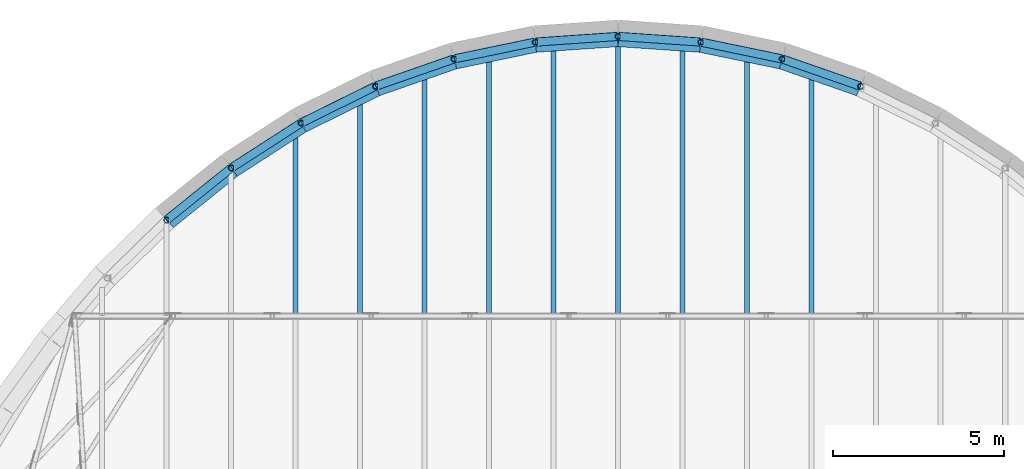
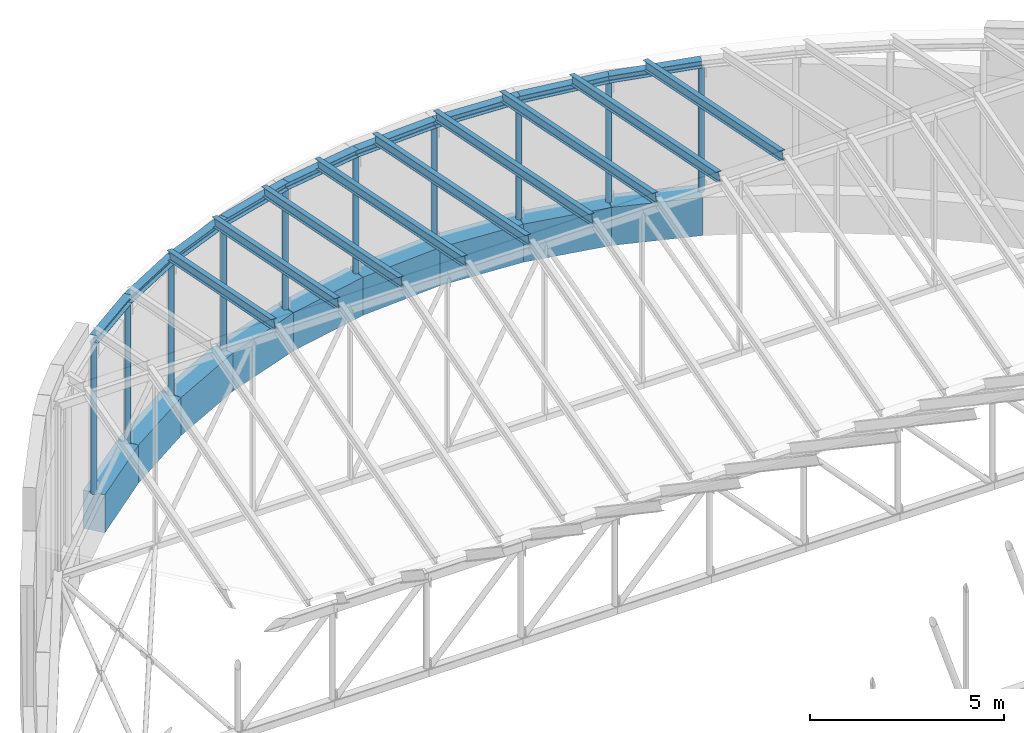
# One storey, part 32 of 68: 19 members, 18 beams.
"""IFC4 building model written with IfcOpenShell, lengths in metres."""

from ifc_helpers import new_model, si_unit, direction, frame, origin, origin_2d, place, context, subcontext, project, spatial, rectangle, hollow_circle, i_section, extrude, material, material_profile, profile_set, type_object, element, save


model = new_model("IFC4")

# Units and contexts
model_context = context("Model", 3, precision=1e-05, world=origin(), true_north=direction((0.0, 1.0)))
body_context = subcontext(model_context, "Body", "Model", "MODEL_VIEW")
ifc_project = project(units=[si_unit("LENGTHUNIT", "METRE"), si_unit("AREAUNIT", "SQUARE_METRE"), si_unit("VOLUMEUNIT", "CUBIC_METRE"), si_unit("PLANEANGLEUNIT", "RADIAN"), si_unit("MASSUNIT", "GRAM", prefix="KILO")], contexts=[model_context])

# Site, building, storey
site_placement = place(None, origin())
site = spatial("IfcSite", under=ifc_project, at=site_placement, CompositionType="ELEMENT")
building_placement = place(site_placement, origin())
building = spatial("IfcBuilding", under=site, at=building_placement, Name="Larchfold Concert Hall", CompositionType="ELEMENT")
storey_placement = place(building_placement, frame((0.0, 0.0, 28.800048828125)))
storey = spatial("IfcBuildingStorey", under=building, at=storey_placement, Name="L06", CompositionType="ELEMENT", Elevation=28.800048828125)

# Beams
ifc_material_1 = material(Name="Concrete C40/50", Category="concrete")
ifc_material_profile_1 = material_profile(ifc_material_1, rectangle(XDim=0.60009765625, YDim=1.199951171875, at=origin_2d()))
ifc_profile_set_1 = profile_set([ifc_material_profile_1], Name="Concrete C40/50")
beam_type_1 = type_object("IfcBeamType", Name="Beam RC 600x1200", PredefinedType="BEAM", material=ifc_profile_set_1)
beam_1_placement = place(storey_placement, frame((49.68798828125, 117.14501953125, -0.60009765625), z_axis=(-0.94435640768, 0.328923965793, 0.0), x_axis=(-0.328923965793, -0.94435640768, 0.0)))
element("IfcBeam", 1, at=beam_1_placement, inside=storey, type_object=beam_type_1, Name="Beam RB17", PredefinedType="BEAM", context=body_context, shape_type="SweptSolid", body=[
    extrude(rectangle(XDim=0.60009765625, YDim=1.199951171875, at=origin_2d()), origin(), (0.0, 0.0, 1.0), 2.39453125),
])
beam_2_placement = place(storey_placement, frame((47.388916015625, 117.94287109375, -0.60009765625), z_axis=(-0.979158352472, 0.203098303254, 0.0), x_axis=(-0.203098303254, -0.979158352472, 0.0)))
element("IfcBeam", 2, at=beam_2_placement, inside=storey, type_object=beam_type_1, Name="Beam RB18", PredefinedType="BEAM", context=body_context, shape_type="SweptSolid", body=[
    extrude(rectangle(XDim=0.60009765625, YDim=1.199951171875, at=origin_2d()), origin(), (0.0, 0.0, 1.0), 2.39208984375),
])
for number, where, z_axis, x_axis, name in (
    (3, (45.00634765625, 118.434326171875, -0.60009765625), (-0.99763684812, 0.068707490666, 0.0), (-0.068707490666, -0.99763684812, 0.0), "Beam RB19"),
    (4, (42.57958984375, 118.5986328125, -0.60009765625), (-0.99763684812, -0.068707490666, 0.0), (0.068707490666, -0.99763684812, 0.0), "Beam RB20"),
):
    element("IfcBeam", number, at=place(storey_placement, frame(where, z_axis=z_axis, x_axis=x_axis)), inside=storey, type_object=beam_type_1, Name=name, PredefinedType="BEAM", context=body_context, shape_type="SweptSolid", body=[
        extrude(rectangle(XDim=0.60009765625, YDim=1.199951171875, at=origin_2d()), origin(), (0.0, 0.0, 1.0), 2.391357421875),
    ])
beam_3_placement = place(storey_placement, frame((40.153564453125, 118.4287109375, -0.60009765625), z_axis=(-0.979158352472, -0.203098303254, 0.0), x_axis=(0.203098303254, -0.979158352472, 0.0)))
element("IfcBeam", 5, at=beam_3_placement, inside=storey, type_object=beam_type_1, Name="Beam RB21", PredefinedType="BEAM", context=body_context, shape_type="SweptSolid", body=[
    extrude(rectangle(XDim=0.60009765625, YDim=1.199951171875, at=origin_2d()), origin(), (0.0, 0.0, 1.0), 2.39208984375),
])
beam_4_placement = place(storey_placement, frame((37.7734375, 117.9326171875, -0.60009765625), z_axis=(-0.94435640768, -0.328923965793, 0.0), x_axis=(0.328923965793, -0.94435640768, 0.0)))
element("IfcBeam", 6, at=beam_4_placement, inside=storey, type_object=beam_type_1, Name="Beam RB22", PredefinedType="BEAM", context=body_context, shape_type="SweptSolid", body=[
    extrude(rectangle(XDim=0.60009765625, YDim=1.199951171875, at=origin_2d()), origin(), (0.0, 0.0, 1.0), 2.39453125),
])
beam_5_placement = place(storey_placement, frame((35.47802734375, 117.130615234375, -0.60009765625), z_axis=(-0.896838212856, -0.44235870056, 0.0), x_axis=(0.44235870056, -0.896838212856, 0.0)))
element("IfcBeam", 7, at=beam_5_placement, inside=storey, type_object=beam_type_1, Name="Beam RB23", PredefinedType="BEAM", context=body_context, shape_type="SweptSolid", body=[
    extrude(rectangle(XDim=0.60009765625, YDim=1.199951171875, at=origin_2d()), origin(), (0.0, 0.0, 1.0), 2.39697265625),
])
beam_6_placement = place(storey_placement, frame((33.298583984375, 116.053466796875, -0.60009765625), z_axis=(-0.840526773036, -0.541770010068, 0.0), x_axis=(0.541770010068, -0.840526773036, 0.0)))
element("IfcBeam", 8, at=beam_6_placement, inside=storey, type_object=beam_type_1, Name="Beam RB24", PredefinedType="BEAM", context=body_context, shape_type="SweptSolid", body=[
    extrude(rectangle(XDim=0.60009765625, YDim=1.199951171875, at=origin_2d()), origin(), (0.0, 0.0, 1.0), 2.400146484375),
])
beam_7_placement = place(storey_placement, frame((31.255859375, 114.734619140625, -0.60009765625), z_axis=(-0.779051625906, -0.626959778752, 0.0), x_axis=(0.626959778752, -0.779051625906, 0.0)))
element("IfcBeam", 9, at=beam_7_placement, inside=storey, type_object=beam_type_1, Name="Beam RB25", PredefinedType="BEAM", context=body_context, shape_type="SweptSolid", body=[
    extrude(rectangle(XDim=0.60009765625, YDim=1.199951171875, at=origin_2d()), origin(), (0.0, 0.0, 1.0), 2.403076171875),
])

# Members
ifc_material_2 = material(Name="Steel S355", Category="steel")
ifc_material_profile_2 = material_profile(ifc_material_2, i_section(OverallWidth=0.14990234375, OverallDepth=0.300048828125, WebThickness=0.007080078125, FlangeThickness=0.0107421875, FilletRadius=0.014892578125, at=origin_2d()))
ifc_profile_set_2 = profile_set([ifc_material_profile_2], Name="Steel S355")
member_type_1 = type_object("IfcMemberType", Name="Rafter IPE 300", PredefinedType="RAFTER", material=ifc_profile_set_2)
member_1_placement = place(storey_placement, frame((33.14697265625, 110.454833984375, 5.657958984375), z_axis=(0.0, 0.980580675691, -0.196116135138), x_axis=(-1.0, 0.0, 0.0)))
element("IfcMember", 10, at=member_1_placement, inside=storey, type_object=member_type_1, Name="Member RF0132", PredefinedType="RAFTER", context=body_context, shape_type="SweptSolid", body=[
    extrude(i_section(OverallWidth=0.14990234375, OverallDepth=0.300048828125, WebThickness=0.007080078125, FlangeThickness=0.0107421875, FilletRadius=0.014892578125, at=origin_2d()), origin(), (0.0, 0.0, 1.0), 5.4873046875),
])
member_2_placement = place(storey_placement, frame((35.03759765625, 110.454833984375, 5.657958984375), z_axis=(0.0, 0.980585033359, -0.196094345538), x_axis=(-1.0, 0.0, 0.0)))
element("IfcMember", 11, at=member_2_placement, inside=storey, type_object=member_type_1, Name="Member RF0133", PredefinedType="RAFTER", context=body_context, shape_type="SweptSolid", body=[
    extrude(i_section(OverallWidth=0.14990234375, OverallDepth=0.300048828125, WebThickness=0.007080078125, FlangeThickness=0.0107421875, FilletRadius=0.014892578125, at=origin_2d()), origin(), (0.0, 0.0, 1.0), 6.464111328125),
])
member_3_placement = place(storey_placement, frame((36.92822265625, 110.454833984375, 5.657958984375), z_axis=(0.0, 0.980581979278, -0.196109617092), x_axis=(-1.0, 0.0, 0.0)))
element("IfcMember", 12, at=member_3_placement, inside=storey, type_object=member_type_1, Name="Member RF0134", PredefinedType="RAFTER", context=body_context, shape_type="SweptSolid", body=[
    extrude(i_section(OverallWidth=0.14990234375, OverallDepth=0.300048828125, WebThickness=0.007080078125, FlangeThickness=0.0107421875, FilletRadius=0.014892578125, at=origin_2d()), origin(), (0.0, 0.0, 1.0), 7.203125),
])
member_4_placement = place(storey_placement, frame((38.81884765625, 110.454833984375, 5.657958984375), z_axis=(0.0, 0.980581890864, -0.196110059176), x_axis=(-1.0, 0.0, 0.0)))
element("IfcMember", 13, at=member_4_placement, inside=storey, type_object=member_type_1, Name="Member RF0135", PredefinedType="RAFTER", context=body_context, shape_type="SweptSolid", body=[
    extrude(i_section(OverallWidth=0.14990234375, OverallDepth=0.300048828125, WebThickness=0.007080078125, FlangeThickness=0.0107421875, FilletRadius=0.014892578125, at=origin_2d()), origin(), (0.0, 0.0, 1.0), 7.727294921875),
])
member_5_placement = place(storey_placement, frame((40.70947265625, 110.454833984375, 5.657958984375), z_axis=(0.0, 0.980584174339, -0.196098641086), x_axis=(-1.0, 0.0, 0.0)))
element("IfcMember", 14, at=member_5_placement, inside=storey, type_object=member_type_1, Name="Member RF0136", PredefinedType="RAFTER", context=body_context, shape_type="SweptSolid", body=[
    extrude(i_section(OverallWidth=0.14990234375, OverallDepth=0.300048828125, WebThickness=0.007080078125, FlangeThickness=0.0107421875, FilletRadius=0.014892578125, at=origin_2d()), origin(), (0.0, 0.0, 1.0), 8.05126953125),
])
member_6_placement = place(storey_placement, frame((42.60009765625, 110.454833984375, 5.657958984375), z_axis=(0.0, 0.980581823029, -0.196110398363), x_axis=(-1.0, 0.0, 0.0)))
element("IfcMember", 15, at=member_6_placement, inside=storey, type_object=member_type_1, Name="Member RF0137", PredefinedType="RAFTER", context=body_context, shape_type="SweptSolid", body=[
    extrude(i_section(OverallWidth=0.14990234375, OverallDepth=0.300048828125, WebThickness=0.007080078125, FlangeThickness=0.0107421875, FilletRadius=0.014892578125, at=origin_2d()), origin(), (0.0, 0.0, 1.0), 8.18408203125),
])
member_7_placement = place(storey_placement, frame((44.49072265625, 110.454833984375, 5.657958984375), z_axis=(0.0, 0.980584174339, -0.196098641086), x_axis=(-1.0, 0.0, 0.0)))
element("IfcMember", 16, at=member_7_placement, inside=storey, type_object=member_type_1, Name="Member RF0138", PredefinedType="RAFTER", context=body_context, shape_type="SweptSolid", body=[
    extrude(i_section(OverallWidth=0.14990234375, OverallDepth=0.300048828125, WebThickness=0.007080078125, FlangeThickness=0.0107421875, FilletRadius=0.014892578125, at=origin_2d()), origin(), (0.0, 0.0, 1.0), 8.05126953125),
])
member_8_placement = place(storey_placement, frame((46.38134765625, 110.454833984375, 5.657958984375), z_axis=(0.0, 0.980581890864, -0.196110059176), x_axis=(-1.0, 0.0, 0.0)))
element("IfcMember", 17, at=member_8_placement, inside=storey, type_object=member_type_1, Name="Member RF0139", PredefinedType="RAFTER", context=body_context, shape_type="SweptSolid", body=[
    extrude(i_section(OverallWidth=0.14990234375, OverallDepth=0.300048828125, WebThickness=0.007080078125, FlangeThickness=0.0107421875, FilletRadius=0.014892578125, at=origin_2d()), origin(), (0.0, 0.0, 1.0), 7.727294921875),
])
member_9_placement = place(storey_placement, frame((48.27197265625, 110.454833984375, 5.657958984375), z_axis=(0.0, 0.980581979278, -0.196109617092), x_axis=(-1.0, 0.0, 0.0)))
element("IfcMember", 18, at=member_9_placement, inside=storey, type_object=member_type_1, Name="Member RF0140", PredefinedType="RAFTER", context=body_context, shape_type="SweptSolid", body=[
    extrude(i_section(OverallWidth=0.14990234375, OverallDepth=0.300048828125, WebThickness=0.007080078125, FlangeThickness=0.0107421875, FilletRadius=0.014892578125, at=origin_2d()), origin(), (0.0, 0.0, 1.0), 7.203125),
])

# Beams
ifc_material_3 = material(Name="Steel S355", Category="steel")
ifc_material_profile_3 = material_profile(ifc_material_3, i_section(OverallWidth=0.239990234375, OverallDepth=0.22998046875, WebThickness=0.007568359375, FlangeThickness=0.011962890625, FilletRadius=0.02099609375, at=origin_2d()))
ifc_profile_set_3 = profile_set([ifc_material_profile_3], Name="Steel S355")
beam_type_2 = type_object("IfcBeamType", Name="Steel beam HEA 240", PredefinedType="BEAM", material=ifc_profile_set_3)
beam_8_placement = place(storey_placement, frame((49.70556640625, 117.138916015625, 4.051025390625), z_axis=(-0.942333568191, 0.328164410517, -0.065692967134), x_axis=(-0.328874818279, -0.944373524566, 0.0)))
element("IfcBeam", 19, at=beam_8_placement, inside=storey, type_object=beam_type_2, Name="Beam EM26", PredefinedType="BEAM", context=body_context, shape_type="SweptSolid", body=[
    extrude(i_section(OverallWidth=0.239990234375, OverallDepth=0.22998046875, WebThickness=0.007568359375, FlangeThickness=0.011962890625, FilletRadius=0.02099609375, at=origin_2d()), origin(), (0.0, 0.0, 1.0), 2.43798828125),
])
beam_9_placement = place(storey_placement, frame((47.408203125, 117.93896484375, 3.890869140625), z_axis=(-0.978362129011, 0.202893550691, -0.040518534097), x_axis=(-0.203060306454, -0.979166233049, 0.0)))
element("IfcBeam", 20, at=beam_9_placement, inside=storey, type_object=beam_type_2, Name="Beam EM27", PredefinedType="BEAM", context=body_context, shape_type="SweptSolid", body=[
    extrude(i_section(OverallWidth=0.239990234375, OverallDepth=0.22998046875, WebThickness=0.007568359375, FlangeThickness=0.011962890625, FilletRadius=0.02099609375, at=origin_2d()), origin(), (0.0, 0.0, 1.0), 2.434326171875),
])
for number, where, z_axis, x_axis, name in (
    (21, (45.026611328125, 118.432861328125, 3.792236328125), (-0.997539101689, 0.068750808397, -0.013750161679), (-0.068757308571, -0.997633415899, 0.0), "Beam EM28"),
    (22, (42.60009765625, 118.60009765625, 3.7587890625), (-0.997539101689, -0.068750808397, 0.013750161679), (0.068757308571, -0.997633415899, 0.0), "Beam EM29"),
):
    element("IfcBeam", number, at=place(storey_placement, frame(where, z_axis=z_axis, x_axis=x_axis)), inside=storey, type_object=beam_type_2, Name=name, PredefinedType="BEAM", context=body_context, shape_type="SweptSolid", body=[
        extrude(i_section(OverallWidth=0.239990234375, OverallDepth=0.22998046875, WebThickness=0.007568359375, FlangeThickness=0.011962890625, FilletRadius=0.02099609375, at=origin_2d()), origin(), (0.0, 0.0, 1.0), 2.4326171875),
    ])
beam_10_placement = place(storey_placement, frame((40.173583984375, 118.432861328125, 3.792236328125), z_axis=(-0.978362129011, -0.202893550691, 0.040518534097), x_axis=(0.203060306454, -0.979166233049, 0.0)))
element("IfcBeam", 23, at=beam_10_placement, inside=storey, type_object=beam_type_2, Name="Beam EM30", PredefinedType="BEAM", context=body_context, shape_type="SweptSolid", body=[
    extrude(i_section(OverallWidth=0.239990234375, OverallDepth=0.22998046875, WebThickness=0.007568359375, FlangeThickness=0.011962890625, FilletRadius=0.02099609375, at=origin_2d()), origin(), (0.0, 0.0, 1.0), 2.434326171875),
])
beam_11_placement = place(storey_placement, frame((37.7919921875, 117.93896484375, 3.890869140625), z_axis=(-0.942333568191, -0.328164410517, 0.065692967134), x_axis=(0.328874818279, -0.944373524566, 0.0)))
element("IfcBeam", 24, at=beam_11_placement, inside=storey, type_object=beam_type_2, Name="Beam EM31", PredefinedType="BEAM", context=body_context, shape_type="SweptSolid", body=[
    extrude(i_section(OverallWidth=0.239990234375, OverallDepth=0.22998046875, WebThickness=0.007568359375, FlangeThickness=0.011962890625, FilletRadius=0.02099609375, at=origin_2d()), origin(), (0.0, 0.0, 1.0), 2.43798828125),
])
beam_12_placement = place(storey_placement, frame((35.49462890625, 117.138916015625, 4.051025390625), z_axis=(-0.893337750063, -0.440670635886, 0.088074144786), x_axis=(0.442389797274, -0.896822873966, 0.0)))
element("IfcBeam", 25, at=beam_12_placement, inside=storey, type_object=beam_type_2, Name="Beam EM32", PredefinedType="BEAM", context=body_context, shape_type="SweptSolid", body=[
    extrude(i_section(OverallWidth=0.239990234375, OverallDepth=0.22998046875, WebThickness=0.007568359375, FlangeThickness=0.011962890625, FilletRadius=0.02099609375, at=origin_2d()), origin(), (0.0, 0.0, 1.0), 2.442138671875),
])
beam_13_placement = place(storey_placement, frame((33.31298828125, 116.062744140625, 4.26611328125), z_axis=(-0.835626171387, -0.538627710043, 0.107745494878), x_axis=(0.541781687101, -0.840519246372, 0.0)))
element("IfcBeam", 26, at=beam_13_placement, inside=storey, type_object=beam_type_2, Name="Beam EM33", PredefinedType="BEAM", context=body_context, shape_type="SweptSolid", body=[
    extrude(i_section(OverallWidth=0.239990234375, OverallDepth=0.22998046875, WebThickness=0.007568359375, FlangeThickness=0.011962890625, FilletRadius=0.02099609375, at=origin_2d()), origin(), (0.0, 0.0, 1.0), 2.447265625),
])
beam_14_placement = place(storey_placement, frame((31.26806640625, 114.74462890625, 4.52978515625), z_axis=(-0.772959496258, -0.622130846486, 0.12444608067), x_axis=(0.627004949811, -0.779015271296, 0.0)))
element("IfcBeam", 27, at=beam_14_placement, inside=storey, type_object=beam_type_2, Name="Beam EM34", PredefinedType="BEAM", context=body_context, shape_type="SweptSolid", body=[
    extrude(i_section(OverallWidth=0.239990234375, OverallDepth=0.22998046875, WebThickness=0.007568359375, FlangeThickness=0.011962890625, FilletRadius=0.02099609375, at=origin_2d()), origin(), (0.0, 0.0, 1.0), 2.452392578125),
])

# Members
ifc_material_4 = material(Name="Steel S355J2H", Category="steel")
ifc_material_profile_4 = material_profile(ifc_material_4, hollow_circle(Radius=0.084228515625, WallThickness=0.008056640625, at=origin_2d()))
ifc_profile_set_4 = profile_set([ifc_material_profile_4], Name="Steel S355J2H")
member_type_2 = type_object("IfcMemberType", Name="Truss post CHS 168.3x8", PredefinedType="POST", material=ifc_profile_set_4)
member_10_placement = place(storey_placement, frame((49.70556640625, 117.138916015625, 0.0), z_axis=(0.0, 0.0, 1.0), x_axis=(1.0, 0.0, 0.0)))
element("IfcMember", 28, at=member_10_placement, inside=storey, type_object=member_type_2, Name="Member EP05", PredefinedType="POST", context=body_context, shape_type="SweptSolid", body=[
    extrude(hollow_circle(Radius=0.084228515625, WallThickness=0.008056640625, at=origin_2d()), origin(), (0.0, 0.0, 1.0), 3.93359375),
])
member_11_placement = place(storey_placement, frame((47.408203125, 117.93896484375, 0.0), z_axis=(0.0, 0.0, 1.0), x_axis=(1.0, 0.0, 0.0)))
element("IfcMember", 29, at=member_11_placement, inside=storey, type_object=member_type_2, Name="Member EP06", PredefinedType="POST", context=body_context, shape_type="SweptSolid", body=[
    extrude(hollow_circle(Radius=0.084228515625, WallThickness=0.008056640625, at=origin_2d()), origin(), (0.0, 0.0, 1.0), 3.773681640625),
])
member_12_placement = place(storey_placement, frame((45.026611328125, 118.432861328125, 0.0), z_axis=(0.0, 0.0, 1.0), x_axis=(1.0, 0.0, 0.0)))
element("IfcMember", 30, at=member_12_placement, inside=storey, type_object=member_type_2, Name="Member EP07", PredefinedType="POST", context=body_context, shape_type="SweptSolid", body=[
    extrude(hollow_circle(Radius=0.084228515625, WallThickness=0.008056640625, at=origin_2d()), origin(), (0.0, 0.0, 1.0), 3.6748046875),
])
member_13_placement = place(storey_placement, frame((42.60009765625, 118.60009765625, 0.0), z_axis=(0.0, 0.0, 1.0), x_axis=(1.0, 0.0, 0.0)))
element("IfcMember", 31, at=member_13_placement, inside=storey, type_object=member_type_2, Name="Member EP08", PredefinedType="POST", context=body_context, shape_type="SweptSolid", body=[
    extrude(hollow_circle(Radius=0.084228515625, WallThickness=0.008056640625, at=origin_2d()), origin(), (0.0, 0.0, 1.0), 3.641357421875),
])
member_14_placement = place(storey_placement, frame((40.173583984375, 118.432861328125, 0.0), z_axis=(0.0, 0.0, 1.0), x_axis=(1.0, 0.0, 0.0)))
element("IfcMember", 32, at=member_14_placement, inside=storey, type_object=member_type_2, Name="Member EP09", PredefinedType="POST", context=body_context, shape_type="SweptSolid", body=[
    extrude(hollow_circle(Radius=0.084228515625, WallThickness=0.008056640625, at=origin_2d()), origin(), (0.0, 0.0, 1.0), 3.6748046875),
])
member_15_placement = place(storey_placement, frame((37.7919921875, 117.93896484375, 0.0), z_axis=(0.0, 0.0, 1.0), x_axis=(1.0, 0.0, 0.0)))
element("IfcMember", 33, at=member_15_placement, inside=storey, type_object=member_type_2, Name="Member EP10", PredefinedType="POST", context=body_context, shape_type="SweptSolid", body=[
    extrude(hollow_circle(Radius=0.084228515625, WallThickness=0.008056640625, at=origin_2d()), origin(), (0.0, 0.0, 1.0), 3.773681640625),
])
member_16_placement = place(storey_placement, frame((35.49462890625, 117.138916015625, 0.0), z_axis=(0.0, 0.0, 1.0), x_axis=(1.0, 0.0, 0.0)))
element("IfcMember", 34, at=member_16_placement, inside=storey, type_object=member_type_2, Name="Member EP11", PredefinedType="POST", context=body_context, shape_type="SweptSolid", body=[
    extrude(hollow_circle(Radius=0.084228515625, WallThickness=0.008056640625, at=origin_2d()), origin(), (0.0, 0.0, 1.0), 3.93359375),
])
member_17_placement = place(storey_placement, frame((33.31298828125, 116.062744140625, 0.0), z_axis=(0.0, 0.0, 1.0), x_axis=(1.0, 0.0, 0.0)))
element("IfcMember", 35, at=member_17_placement, inside=storey, type_object=member_type_2, Name="Member EP12", PredefinedType="POST", context=body_context, shape_type="SweptSolid", body=[
    extrude(hollow_circle(Radius=0.084228515625, WallThickness=0.008056640625, at=origin_2d()), origin(), (0.0, 0.0, 1.0), 4.14892578125),
])
member_18_placement = place(storey_placement, frame((31.26806640625, 114.74462890625, 0.0), z_axis=(0.0, 0.0, 1.0), x_axis=(1.0, 0.0, 0.0)))
element("IfcMember", 36, at=member_18_placement, inside=storey, type_object=member_type_2, Name="Member EP13", PredefinedType="POST", context=body_context, shape_type="SweptSolid", body=[
    extrude(hollow_circle(Radius=0.084228515625, WallThickness=0.008056640625, at=origin_2d()), origin(), (0.0, 0.0, 1.0), 4.41259765625),
])
member_19_placement = place(storey_placement, frame((29.37255859375, 113.218994140625, 0.0), z_axis=(0.0, 0.0, 1.0), x_axis=(1.0, 0.0, 0.0)))
element("IfcMember", 37, at=member_19_placement, inside=storey, type_object=member_type_2, Name="Member EP14", PredefinedType="POST", context=body_context, shape_type="SweptSolid", body=[
    extrude(hollow_circle(Radius=0.084228515625, WallThickness=0.008056640625, at=origin_2d()), origin(), (0.0, 0.0, 1.0), 4.717529296875),
])

save(model, "model.ifc")
